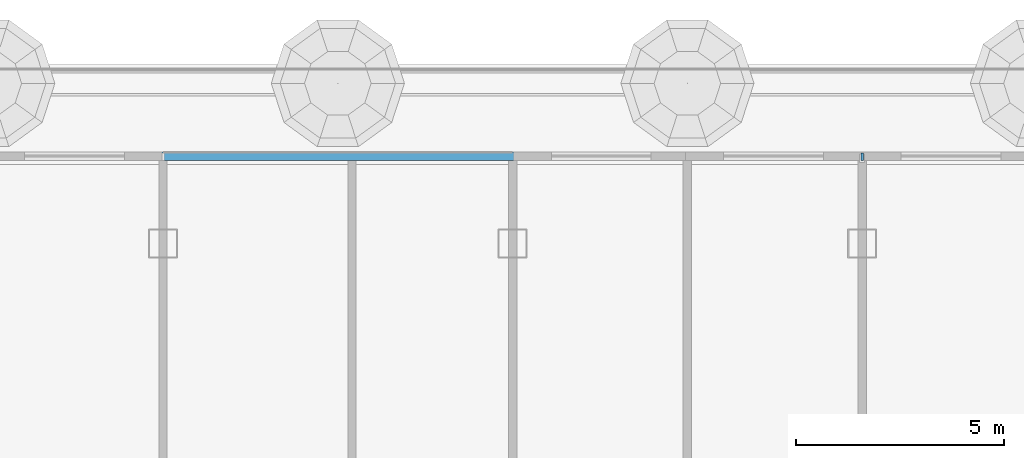
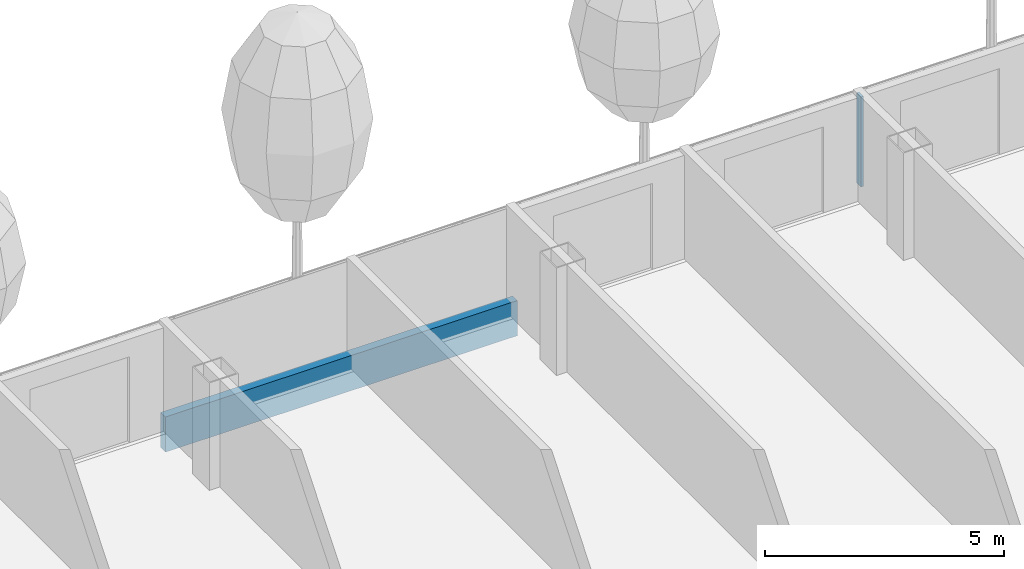
# One storey, part 5 of 32: 2 members, 1 element without a shape of its own.
"""IFC4 building model written with IfcOpenShell, lengths in metres."""

from ifc_helpers import new_model, si_unit, direction, frame, origin, origin_2d, place, context, subcontext, project, spatial, rectangle, extrude, material, layer, layer_set, material_profile, profile_set, type_object, element, aggregate, save


model = new_model("IFC4")

# Units and contexts
model_context = context("Model", 3, precision=1e-05, world=origin(), true_north=direction((0.0, 1.0)))
body_context = subcontext(model_context, "Body", "Model", "MODEL_VIEW")
ifc_project = project(units=[si_unit("LENGTHUNIT", "METRE"), si_unit("AREAUNIT", "SQUARE_METRE"), si_unit("VOLUMEUNIT", "CUBIC_METRE"), si_unit("PLANEANGLEUNIT", "RADIAN"), si_unit("MASSUNIT", "GRAM", prefix="KILO")], contexts=[model_context])

# Site, building, storey
site_placement = place(None, origin())
site = spatial("IfcSite", under=ifc_project, at=site_placement, CompositionType="ELEMENT")
building_placement = place(site_placement, origin())
building = spatial("IfcBuilding", under=site, at=building_placement, Name="Hakoniwa Tower and Hamabe Station Hall", CompositionType="ELEMENT")
storey_placement = place(building_placement, frame((0.0, 0.0, 150.199951171875)))
storey = spatial("IfcBuildingStorey", under=building, at=storey_placement, Name="L42", CompositionType="ELEMENT", Elevation=150.199951171875)

# Curtain wall, members
ifc_material_1 = material(Name="Dark low-e laminated glass", Category="glass")
ifc_layer = layer(ifc_material_1, 0.199951171875)
ifc_layer_set = layer_set([ifc_layer], Name="CW-1 UNITISED GUEST")
curtain_wall_type = type_object("IfcCurtainWallType", Name="CW-1 UNITISED GUEST", PredefinedType="NOTDEFINED", material=ifc_layer_set)
curtain_wall_placement = place(storey_placement, origin())
curtain_wall = element("IfcCurtainWall", 1, at=curtain_wall_placement, inside=storey, type_object=curtain_wall_type, Name="CW-1 curtain wall", PredefinedType="NOTDEFINED")
ifc_material_2 = material(Name="Aluminium 6063-T5 black anodised", Category="aluminium")
ifc_material_profile_1 = material_profile(ifc_material_2, rectangle(XDim=0.199951171875, YDim=0.89990234375, at=origin_2d()), Name="CW SLAB-EDGE BAND 900X200")
ifc_profile_set_1 = profile_set([ifc_material_profile_1], Name="Aluminium 6063-T5 black anodised")
member_type_1 = type_object("IfcMemberType", Name="CW SLAB-EDGE BAND 900X200", PredefinedType="USERDEFINED", material=ifc_profile_set_1)
member_1_placement = place(storey_placement, frame((0.06005859375, 18.199951171875, -0.099853515625), z_axis=(-1.0, 0.0, 0.0), x_axis=(0.0, -1.0, 0.0)))
member_1 = element("IfcMember", 2, at=member_1_placement, type_object=member_type_1, Name="CW-1 transom", ObjectType="TRANSOM", PredefinedType="USERDEFINED", context=body_context, shape_type="SweptSolid", body=[
    extrude(rectangle(XDim=0.199951171875, YDim=0.89990234375, at=origin_2d()), origin(), (0.0, 0.0, 1.0), 8.52001953125),
])
ifc_material_3 = material(Name="Aluminium 6063-T5 black anodised", Category="aluminium")
ifc_material_profile_2 = material_profile(ifc_material_3, rectangle(XDim=0.06005859375, YDim=0.179931640625, at=origin_2d()), Name="CW-1 MULLION 60X180")
ifc_profile_set_2 = profile_set([ifc_material_profile_2], Name="Aluminium 6063-T5 black anodised")
member_type_2 = type_object("IfcMemberType", Name="CW-1 MULLION 60X180", PredefinedType="MULLION", material=ifc_profile_set_2)
member_2_placement = place(storey_placement, frame((8.39990234375, 18.181884765625, 0.35009765625), z_axis=(0.0, 0.0, 1.0), x_axis=(-1.0, 0.0, 0.0)))
member_2 = element("IfcMember", 3, at=member_2_placement, type_object=member_type_2, Name="CW-1 mullion", PredefinedType="MULLION", context=body_context, shape_type="SweptSolid", body=[
    extrude(rectangle(XDim=0.06005859375, YDim=0.179931640625, at=origin_2d()), origin(), (0.0, 0.0, 1.0), 2.300048828125),
])
aggregate(curtain_wall, [member_2, member_1])

save(model, "model.ifc")
